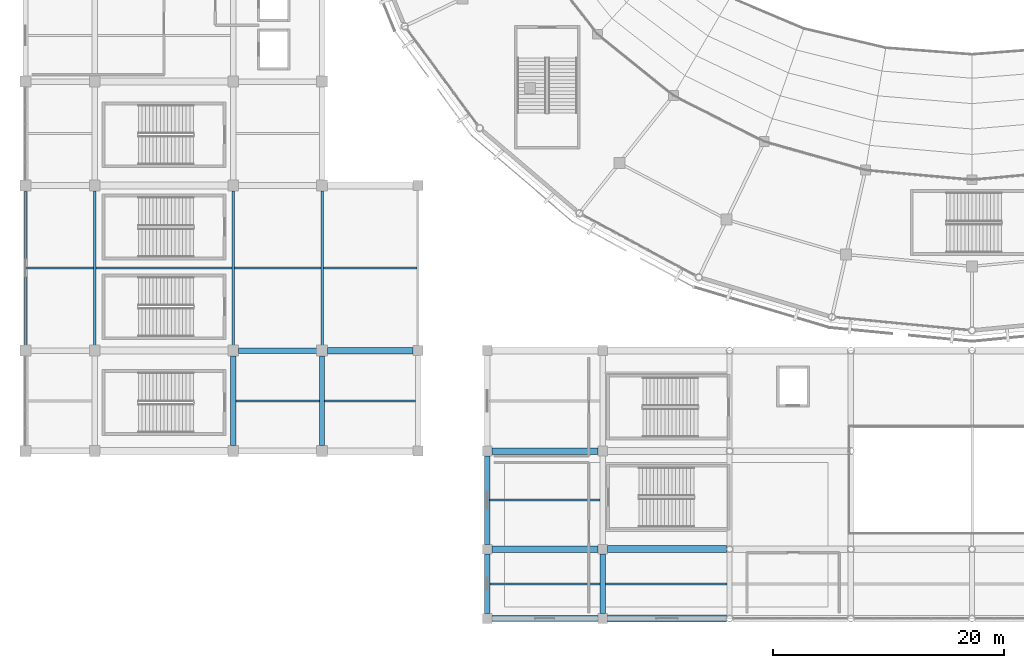
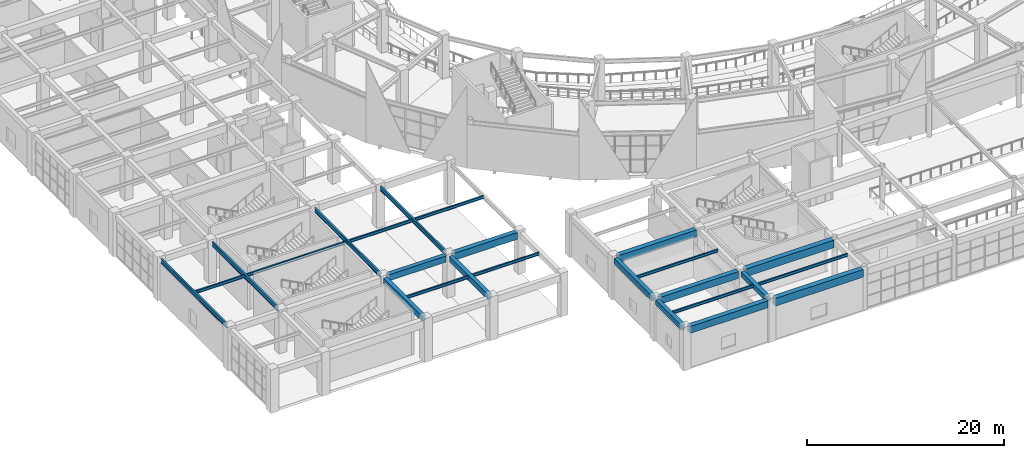
# One storey, part 14 of 120: 25 beams.
"""IFC4 building model written with IfcOpenShell, lengths in metres."""

from ifc_helpers import new_model, si_unit, direction, frame, origin, origin_2d, place, context, subcontext, project, spatial, rectangle, i_section, extrude, material, material_profile, profile_set, type_object, element, save


model = new_model("IFC4")

# Units and contexts
model_context = context("Model", 3, precision=1e-05, world=origin(), true_north=direction((0.0, 1.0)))
body_context = subcontext(model_context, "Body", "Model", "MODEL_VIEW")
ifc_project = project(units=[si_unit("LENGTHUNIT", "METRE"), si_unit("AREAUNIT", "SQUARE_METRE"), si_unit("VOLUMEUNIT", "CUBIC_METRE"), si_unit("PLANEANGLEUNIT", "RADIAN"), si_unit("MASSUNIT", "GRAM", prefix="KILO")], contexts=[model_context])

# Site, building, storey
site_placement = place(None, origin())
site = spatial("IfcSite", under=ifc_project, at=site_placement, CompositionType="ELEMENT")
building_placement = place(site_placement, origin())
building = spatial("IfcBuilding", under=site, at=building_placement, Name="Cuetzalor Civic Arena", CompositionType="ELEMENT")
storey_placement = place(building_placement, frame((0.0, 0.0, 6.0)))
storey = spatial("IfcBuildingStorey", under=building, at=storey_placement, Name="L01", CompositionType="ELEMENT", Elevation=6.0)

# Beams
ifc_material_1 = material(Name="Concrete C40/50", Category="concrete")
ifc_material_profile_1 = material_profile(ifc_material_1, rectangle(XDim=0.5, YDim=0.75, at=origin_2d()), Name="RC 500x750")
ifc_profile_set_1 = profile_set([ifc_material_profile_1], Name="Concrete C40/50")
beam_type_1 = type_object("IfcBeamType", Name="ConcreteFrameBeam_500x750", PredefinedType="BEAM", material=ifc_profile_set_1)
beam_1_placement = place(storey_placement, frame((-63.534912109375, -48.300048828125, 4.7451171875), z_axis=(1.0, 0.0, 0.0), x_axis=(0.0, 1.0, 0.0)))
element("IfcBeam", 1, at=beam_1_placement, inside=storey, type_object=beam_type_1, Name="Frame Girder V4W-L01-X0351", PredefinedType="BEAM", context=body_context, shape_type="SweptSolid", body=[
    extrude(rectangle(XDim=0.5, YDim=0.75, at=origin_2d()), origin(), (0.0, 0.0, 1.0), 6.77001953125),
])
ifc_material_2 = material(Name="Concrete C40/50", Category="concrete")
ifc_material_profile_2 = material_profile(ifc_material_2, rectangle(XDim=0.550048828125, YDim=0.85009765625, at=origin_2d()), Name="RC 550x850")
ifc_profile_set_2 = profile_set([ifc_material_profile_2], Name="Concrete C40/50")
beam_type_2 = type_object("IfcBeamType", Name="ConcreteFrameBeam_550x850", PredefinedType="BEAM", material=ifc_profile_set_2)
for number, where, z_axis, x_axis, name in (
    (2, (-41.5849609375, -71.5, 4.695068359375), (1.0, 0.0, 0.0), (0.0, 1.0, 0.0), "Frame Girder V3-L01-X0289"),
    (3, (-41.5849609375, -65.5, 4.695068359375), (1.0, 0.0, 0.0), (0.0, 1.0, 0.0), "Frame Girder V3-L01-X0297"),
    (4, (-41.5849609375, -57.0, 4.695068359375), (1.0, 0.0, 0.0), (0.0, 1.0, 0.0), "Frame Girder V3-L01-X0305"),
):
    element("IfcBeam", number, at=place(storey_placement, frame(where, z_axis=z_axis, x_axis=x_axis)), inside=storey, type_object=beam_type_2, Name=name, PredefinedType="BEAM", context=body_context, shape_type="SweptSolid", body=[
        extrude(rectangle(XDim=0.550048828125, YDim=0.85009765625, at=origin_2d()), origin(), (0.0, 0.0, 1.0), 9.169921875),
    ])
beam_2_placement = place(storey_placement, frame((-55.8349609375, -48.300048828125, 4.695068359375), z_axis=(1.0, 0.0, 0.0), x_axis=(0.0, 1.0, 0.0)))
element("IfcBeam", 5, at=beam_2_placement, inside=storey, type_object=beam_type_2, Name="Frame Girder V4W-L01-X0352", PredefinedType="BEAM", context=body_context, shape_type="SweptSolid", body=[
    extrude(rectangle(XDim=0.550048828125, YDim=0.85009765625, at=origin_2d()), origin(), (0.0, 0.0, 1.0), 7.419921875),
])
ifc_material_3 = material(Name="Concrete C40/50", Category="concrete")
ifc_material_profile_3 = material_profile(ifc_material_3, rectangle(XDim=0.60009765625, YDim=0.949951171875, at=origin_2d()), Name="RC 600x950")
ifc_profile_set_3 = profile_set([ifc_material_profile_3], Name="Concrete C40/50")
beam_type_3 = type_object("IfcBeamType", Name="ConcreteFrameBeam_600x950", PredefinedType="BEAM", material=ifc_profile_set_3)
for number, where, z_axis, x_axis, name in (
    (6, (-31.5849609375, -71.5, 4.64501953125), (1.0, 0.0, 0.0), (0.0, 1.0, 0.0), "Frame Girder V3-L01-X0290"),
    (7, (-31.5849609375, -65.5, 4.64501953125), (1.0, 0.0, 0.0), (0.0, 1.0, 0.0), "Frame Girder V3-L01-X0298"),
):
    element("IfcBeam", number, at=place(storey_placement, frame(where, z_axis=z_axis, x_axis=x_axis)), inside=storey, type_object=beam_type_3, Name=name, PredefinedType="BEAM", context=body_context, shape_type="SweptSolid", body=[
        extrude(rectangle(XDim=0.60009765625, YDim=0.949951171875, at=origin_2d()), origin(), (0.0, 0.0, 1.0), 10.3154296875),
    ])
ifc_material_4 = material(Name="Concrete C40/50", Category="concrete")
ifc_material_profile_4 = material_profile(ifc_material_4, rectangle(XDim=0.449951171875, YDim=0.64990234375, at=origin_2d()), Name="RC 450x650")
ifc_profile_set_4 = profile_set([ifc_material_profile_4], Name="Concrete C40/50")
beam_type_4 = type_object("IfcBeamType", Name="ConcreteTieBeam_450x650", PredefinedType="BEAM", material=ifc_profile_set_4)
beam_3_placement = place(storey_placement, frame((-42.0, -71.0849609375, 4.794921875), z_axis=(0.0, 1.0, 0.0), x_axis=(-1.0, 0.0, 0.0)))
element("IfcBeam", 8, at=beam_3_placement, inside=storey, type_object=beam_type_4, Name="Frame Girder V3-L01-Y0319", PredefinedType="BEAM", context=body_context, shape_type="SweptSolid", body=[
    extrude(rectangle(XDim=0.449951171875, YDim=0.64990234375, at=origin_2d()), origin(), (0.0, 0.0, 1.0), 5.169921875),
])
beam_4_placement = place(storey_placement, frame((-42.0, -65.0849609375, 4.794921875), z_axis=(0.0, 1.0, 0.0), x_axis=(-1.0, 0.0, 0.0)))
element("IfcBeam", 9, at=beam_4_placement, inside=storey, type_object=beam_type_4, Name="Frame Girder V3-L01-Y0320", PredefinedType="BEAM", context=body_context, shape_type="SweptSolid", body=[
    extrude(rectangle(XDim=0.449951171875, YDim=0.64990234375, at=origin_2d()), origin(), (0.0, 0.0, 1.0), 7.669921875),
])
beam_5_placement = place(storey_placement, frame((-32.0, -71.0849609375, 4.794921875), z_axis=(0.0, 1.0, 0.0), x_axis=(-1.0, 0.0, 0.0)))
element("IfcBeam", 10, at=beam_5_placement, inside=storey, type_object=beam_type_4, Name="Frame Girder V3-L01-Y0322", PredefinedType="BEAM", context=body_context, shape_type="SweptSolid", body=[
    extrude(rectangle(XDim=0.449951171875, YDim=0.64990234375, at=origin_2d()), origin(), (0.0, 0.0, 1.0), 5.169921875),
])
for number, where, z_axis, x_axis, name in (
    (11, (-64.0, -56.534912109375, 4.794921875), (0.0, 1.0, 0.0), (-1.0, 0.0, 0.0), "Frame Girder V4W-L01-Y0401"),
    (12, (-56.300048828125, -56.534912109375, 4.794921875), (0.0, 1.0, 0.0), (-1.0, 0.0, 0.0), "Frame Girder V4W-L01-Y0411"),
):
    element("IfcBeam", number, at=place(storey_placement, frame(where, z_axis=z_axis, x_axis=x_axis)), inside=storey, type_object=beam_type_4, Name=name, PredefinedType="BEAM", context=body_context, shape_type="SweptSolid", body=[
        extrude(rectangle(XDim=0.449951171875, YDim=0.64990234375, at=origin_2d()), origin(), (0.0, 0.0, 1.0), 7.77001953125),
    ])
ifc_material_5 = material(Name="Steel S355", Category="steel")
ifc_material_profile_5 = material_profile(ifc_material_5, i_section(OverallWidth=0.1708984375, OverallDepth=0.35498046875, WebThickness=0.007080078125, FlangeThickness=0.01171875, at=origin_2d()), Name="W360x51")
ifc_profile_set_5 = profile_set([ifc_material_profile_5], Name="Steel S355")
beam_type_5 = type_object("IfcBeamType", Name="SecondaryFloorJoist_W360", PredefinedType="JOIST", material=ifc_profile_set_5)
for number, where, z_axis, x_axis, name in (
    (13, (-41.782958984375, -68.5, 4.9423828125), (1.0, 0.0, 0.0), (0.0, 1.0, 0.0), "Secondary Floor Joist V3-L01-0091"),
    (14, (-41.782958984375, -61.25, 4.9423828125), (1.0, 0.0, 0.0), (0.0, 1.0, 0.0), "Secondary Floor Joist V3-L01-0092"),
):
    element("IfcBeam", number, at=place(storey_placement, frame(where, z_axis=z_axis, x_axis=x_axis)), inside=storey, type_object=beam_type_5, Name=name, PredefinedType="JOIST", context=body_context, shape_type="SweptSolid", body=[
        extrude(i_section(OverallWidth=0.1708984375, OverallDepth=0.35498046875, WebThickness=0.007080078125, FlangeThickness=0.01171875, at=origin_2d()), origin(), (0.0, 0.0, 1.0), 9.56591796875),
    ])
beam_6_placement = place(storey_placement, frame((-31.782958984375, -68.5, 4.9423828125), z_axis=(1.0, 0.0, 0.0), x_axis=(0.0, 1.0, 0.0)))
element("IfcBeam", 15, at=beam_6_placement, inside=storey, type_object=beam_type_5, Name="Secondary Floor Joist V3-L01-0094", PredefinedType="JOIST", context=body_context, shape_type="SweptSolid", body=[
    extrude(i_section(OverallWidth=0.1708984375, OverallDepth=0.35498046875, WebThickness=0.007080078125, FlangeThickness=0.01171875, at=origin_2d()), origin(), (0.0, 0.0, 1.0), 10.56591796875),
])
beam_7_placement = place(storey_placement, frame((-81.903564453125, -41.14990234375, 4.9423828125), z_axis=(1.0, 0.0, 0.0), x_axis=(0.0, 1.0, 0.0)))
element("IfcBeam", 16, at=beam_7_placement, inside=storey, type_object=beam_type_5, Name="Secondary Floor Joist V4W-L01-0106", PredefinedType="JOIST", context=body_context, shape_type="SweptSolid", body=[
    extrude(i_section(OverallWidth=0.1708984375, OverallDepth=0.35498046875, WebThickness=0.007080078125, FlangeThickness=0.01171875, at=origin_2d()), origin(), (0.0, 0.0, 1.0), 5.80712890625),
])
beam_8_placement = place(storey_placement, frame((-75.903564453125, -41.14990234375, 4.9423828125), z_axis=(1.0, 0.0, 0.0), x_axis=(0.0, 1.0, 0.0)))
element("IfcBeam", 17, at=beam_8_placement, inside=storey, type_object=beam_type_5, Name="Secondary Floor Joist V4W-L01-0115", PredefinedType="JOIST", context=body_context, shape_type="SweptSolid", body=[
    extrude(i_section(OverallWidth=0.1708984375, OverallDepth=0.35498046875, WebThickness=0.007080078125, FlangeThickness=0.01171875, at=origin_2d()), origin(), (0.0, 0.0, 1.0), 11.80712890625),
])
beam_9_placement = place(storey_placement, frame((-63.782958984375, -52.64990234375, 4.9423828125), z_axis=(1.0, 0.0, 0.0), x_axis=(0.0, 1.0, 0.0)))
element("IfcBeam", 18, at=beam_9_placement, inside=storey, type_object=beam_type_5, Name="Secondary Floor Joist V4W-L01-0122", PredefinedType="JOIST", context=body_context, shape_type="SweptSolid", body=[
    extrude(i_section(OverallWidth=0.1708984375, OverallDepth=0.35498046875, WebThickness=0.007080078125, FlangeThickness=0.01171875, at=origin_2d()), origin(), (0.0, 0.0, 1.0), 7.265869140625),
])
beam_10_placement = place(storey_placement, frame((-63.903564453125, -41.14990234375, 4.9423828125), z_axis=(1.0, 0.0, 0.0), x_axis=(0.0, 1.0, 0.0)))
element("IfcBeam", 19, at=beam_10_placement, inside=storey, type_object=beam_type_5, Name="Secondary Floor Joist V4W-L01-0123", PredefinedType="JOIST", context=body_context, shape_type="SweptSolid", body=[
    extrude(i_section(OverallWidth=0.1708984375, OverallDepth=0.35498046875, WebThickness=0.007080078125, FlangeThickness=0.01171875, at=origin_2d()), origin(), (0.0, 0.0, 1.0), 7.507080078125),
])
beam_11_placement = place(storey_placement, frame((-56.0830078125, -52.64990234375, 4.9423828125), z_axis=(1.0, 0.0, 0.0), x_axis=(0.0, 1.0, 0.0)))
element("IfcBeam", 20, at=beam_11_placement, inside=storey, type_object=beam_type_5, Name="Secondary Floor Joist V4W-L01-0131", PredefinedType="JOIST", context=body_context, shape_type="SweptSolid", body=[
    extrude(i_section(OverallWidth=0.1708984375, OverallDepth=0.35498046875, WebThickness=0.007080078125, FlangeThickness=0.01171875, at=origin_2d()), origin(), (0.0, 0.0, 1.0), 7.865966796875),
])
beam_12_placement = place(storey_placement, frame((-56.20361328125, -41.14990234375, 4.9423828125), z_axis=(1.0, 0.0, 0.0), x_axis=(0.0, 1.0, 0.0)))
element("IfcBeam", 21, at=beam_12_placement, inside=storey, type_object=beam_type_5, Name="Secondary Floor Joist V4W-L01-0132", PredefinedType="JOIST", context=body_context, shape_type="SweptSolid", body=[
    extrude(i_section(OverallWidth=0.1708984375, OverallDepth=0.35498046875, WebThickness=0.007080078125, FlangeThickness=0.01171875, at=origin_2d()), origin(), (0.0, 0.0, 1.0), 8.107177734375),
])
ifc_material_6 = material(Name="Steel S355", Category="steel")
ifc_material_profile_6 = material_profile(ifc_material_6, i_section(OverallWidth=0.208984375, OverallDepth=0.532958984375, WebThickness=0.01025390625, FlangeThickness=0.015625, at=origin_2d()), Name="W530x92")
ifc_profile_set_6 = profile_set([ifc_material_profile_6], Name="Steel S355")
beam_type_6 = type_object("IfcBeamType", Name="SteelCollarGirder_W530", PredefinedType="BEAM", material=ifc_profile_set_6)
for number, where, z_axis, x_axis, name in (
    (22, (-82.0, -47.8349609375, 4.853515625), (0.0, 1.0, 0.0), (-1.0, 0.0, 0.0), "Frame Girder V4W-L01-Y0382"),
    (23, (-76.0, -47.8349609375, 4.853515625), (0.0, 1.0, 0.0), (-1.0, 0.0, 0.0), "Frame Girder V4W-L01-Y0392"),
    (24, (-64.0, -47.8349609375, 4.853515625), (0.0, 1.0, 0.0), (-1.0, 0.0, 0.0), "Frame Girder V4W-L01-Y0402"),
    (25, (-56.300048828125, -47.8349609375, 4.853515625), (0.0, 1.0, 0.0), (-1.0, 0.0, 0.0), "Frame Girder V4W-L01-Y0412"),
):
    element("IfcBeam", number, at=place(storey_placement, frame(where, z_axis=z_axis, x_axis=x_axis)), inside=storey, type_object=beam_type_6, Name=name, PredefinedType="BEAM", context=body_context, shape_type="SweptSolid", body=[
        extrude(i_section(OverallWidth=0.208984375, OverallDepth=0.532958984375, WebThickness=0.01025390625, FlangeThickness=0.015625, at=origin_2d()), origin(), (0.0, 0.0, 1.0), 13.369873046875),
    ])

save(model, "model.ifc")
